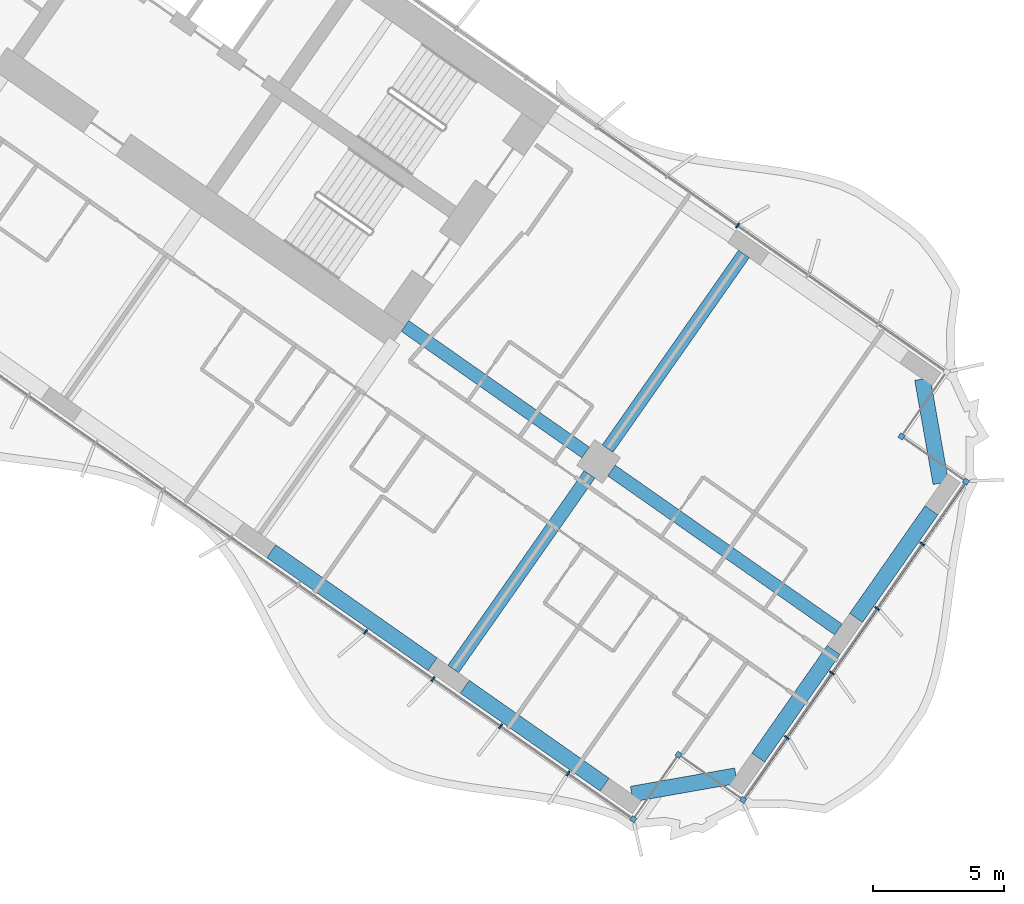
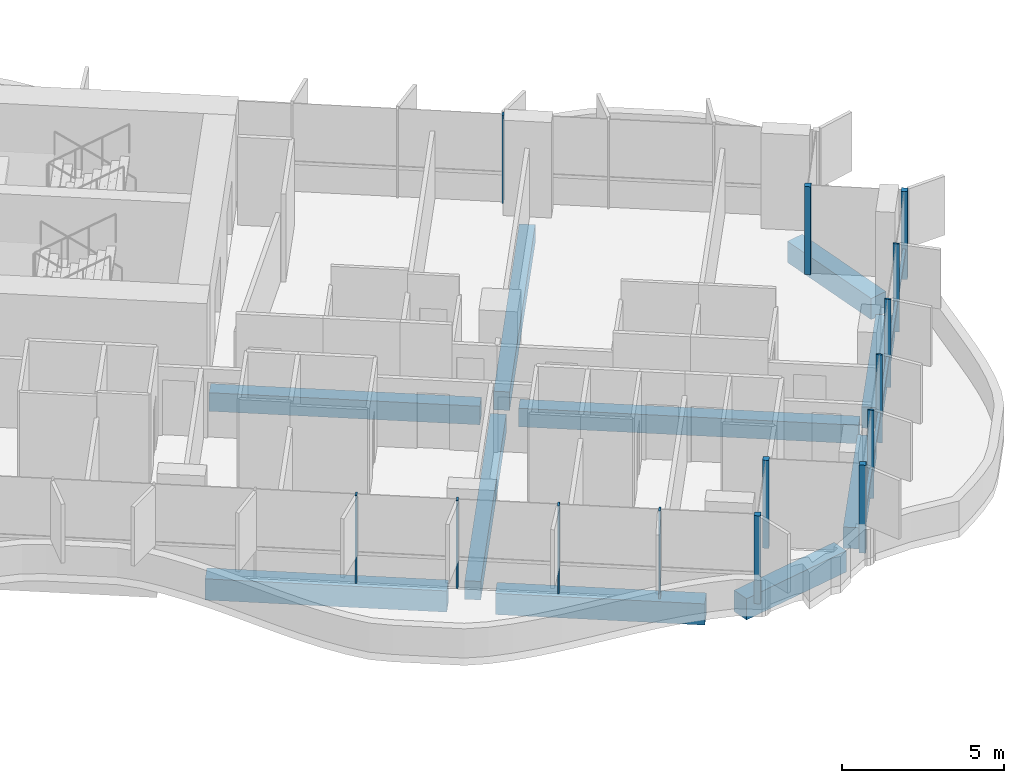
# One storey, part 9 of 25: 15 members, 10 beams, 1 element without a shape of its own.
"""IFC4 building model written with IfcOpenShell, lengths in metres."""

from ifc_helpers import new_model, si_unit, direction, frame, origin, origin_2d, place, context, subcontext, project, spatial, rectangle, extrude, material, material_profile, profile_set, type_object, element, aggregate, save


model = new_model("IFC4")

# Units and contexts
model_context = context("Model", 3, precision=1e-05, world=origin(), true_north=direction((0.0, 1.0)))
body_context = subcontext(model_context, "Body", "Model", "MODEL_VIEW")
ifc_project = project(units=[si_unit("LENGTHUNIT", "METRE"), si_unit("AREAUNIT", "SQUARE_METRE"), si_unit("VOLUMEUNIT", "CUBIC_METRE"), si_unit("PLANEANGLEUNIT", "RADIAN"), si_unit("MASSUNIT", "GRAM", prefix="KILO")], contexts=[model_context])

# Site, building, storey
site_placement = place(None, origin())
site = spatial("IfcSite", under=ifc_project, at=site_placement, CompositionType="ELEMENT")
building_placement = place(site_placement, origin())
building = spatial("IfcBuilding", under=site, at=building_placement, Name="Tel Ilan Convention Tower", CompositionType="ELEMENT")
storey_placement = place(building_placement, frame((0.0, 0.0, 61.699951171875)))
storey = spatial("IfcBuildingStorey", under=building, at=storey_placement, Name="L10", CompositionType="ELEMENT", Elevation=61.699951171875)

# Beams
ifc_material_1 = material(Name="Concrete C40/50", Category="concrete")
ifc_material_profile_1 = material_profile(ifc_material_1, rectangle(XDim=0.5, YDim=0.699951171875, at=origin_2d()), Name="RC 500x700")
ifc_profile_set_1 = profile_set([ifc_material_profile_1], Name="Concrete C40/50")
beam_type_1 = type_object("IfcBeamType", Name="Beam RC 500x700 Concrete C40/50", PredefinedType="BEAM", material=ifc_profile_set_1)
beam_1_placement = place(storey_placement, frame((22.1171875, -15.486572265625, -0.6298828125), z_axis=(0.819147254605, -0.573583276668, 0.0), x_axis=(0.573583276668, 0.819147254605, 0.0)))
element("IfcBeam", 1, at=beam_1_placement, inside=storey, type_object=beam_type_1, Name="L10 beam E-core-E-M4", PredefinedType="BEAM", context=body_context, shape_type="SweptSolid", body=[
    extrude(rectangle(XDim=0.5, YDim=0.699951171875, at=origin_2d()), origin(), (0.0, 0.0, 1.0), 8.400146484375),
])
beam_2_placement = place(storey_placement, frame((29.98095703125, -20.992919921875, -0.6298828125), z_axis=(0.819151461915, -0.573577268067, 0.0), x_axis=(0.573577268067, 0.819151461915, 0.0)))
element("IfcBeam", 2, at=beam_2_placement, inside=storey, type_object=beam_type_1, Name="L10 beam E-E-M4-end", PredefinedType="BEAM", context=body_context, shape_type="SweptSolid", body=[
    extrude(rectangle(XDim=0.5, YDim=0.699951171875, at=origin_2d()), origin(), (0.0, 0.0, 1.0), 10.550048828125),
])
for number, where, z_axis, x_axis, name in (
    (3, (29.145263671875, -21.14013671875, -0.6298828125), (-0.573549245583, -0.819171082798, 0.0), (0.819171082798, -0.573549245583, 0.0), "L10 beam E-E-M4-E-F4"),
    (4, (29.83349609375, -20.1572265625, -0.6298828125), (0.57358002233, 0.819149533348, 0.0), (-0.819149533348, 0.57358002233, 0.0), "L10 beam E-E-M4-E-B4"),
):
    element("IfcBeam", number, at=place(storey_placement, frame(where, z_axis=z_axis, x_axis=x_axis)), inside=storey, type_object=beam_type_1, Name=name, PredefinedType="BEAM", context=body_context, shape_type="SweptSolid", body=[
        extrude(rectangle(XDim=0.5, YDim=0.699951171875, at=origin_2d()), origin(), (0.0, 0.0, 1.0), 9.050048828125),
    ])
ifc_material_2 = material(Name="Concrete C40/50", Category="concrete")
ifc_material_profile_2 = material_profile(ifc_material_2, rectangle(XDim=0.60009765625, YDim=0.800048828125, at=origin_2d()), Name="RC 600x800")
ifc_profile_set_2 = profile_set([ifc_material_profile_2], Name="Concrete C40/50")
beam_type_2 = type_object("IfcBeamType", Name="Beam RC 600x800 Concrete C40/50", PredefinedType="BEAM", material=ifc_profile_set_2)
beam_3_placement = place(storey_placement, frame((17.0244140625, -24.0673828125, -0.679931640625), z_axis=(0.81915238829, -0.573575945067, 0.0), x_axis=(0.573575945067, 0.81915238829, 0.0)))
element("IfcBeam", 5, at=beam_3_placement, inside=storey, type_object=beam_type_2, Name="L10 beam E-E-F3-E-F4", PredefinedType="BEAM", context=body_context, shape_type="SweptSolid", body=[
    extrude(rectangle(XDim=0.60009765625, YDim=0.800048828125, at=origin_2d()), origin(), (0.0, 0.0, 1.0), 7.5),
])
beam_4_placement = place(storey_placement, frame((24.396728515625, -29.2294921875, -0.679931640625), z_axis=(0.819148977158, -0.573580816643, 0.0), x_axis=(0.573580816643, 0.819148977158, 0.0)))
element("IfcBeam", 6, at=beam_4_placement, inside=storey, type_object=beam_type_2, Name="L10 beam E-E-F4-E-FC", PredefinedType="BEAM", context=body_context, shape_type="SweptSolid", body=[
    extrude(rectangle(XDim=0.60009765625, YDim=0.800048828125, at=origin_2d()), origin(), (0.0, 0.0, 1.0), 6.5),
])
beam_5_placement = place(storey_placement, frame((30.75341796875, -33.314208984375, -0.679931640625), z_axis=(0.984815252405, 0.173605641124, 0.0), x_axis=(-0.173605641124, 0.984815252405, 0.0)))
element("IfcBeam", 7, at=beam_5_placement, inside=storey, type_object=beam_type_2, Name="L10 beam E-E-FC-E-E1", PredefinedType="BEAM", context=body_context, shape_type="SweptSolid", body=[
    extrude(rectangle(XDim=0.60009765625, YDim=0.800048828125, at=origin_2d()), origin(), (0.0, 0.0, 1.0), 4.030517578125),
])
for number, where, z_axis, x_axis, name in (
    (8, (35.57080078125, -31.92626953125, -0.679931640625), (0.573586866468, 0.819144740944, 0.0), (-0.819144740944, 0.573586866468, 0.0), "L10 beam E-E-E1-E-E2"),
    (9, (39.298828125, -26.601806640625, -0.679931640625), (0.573586866468, 0.819144740944, 0.0), (-0.819144740944, 0.573586866468, 0.0), "L10 beam E-E-E2-E-E3"),
):
    element("IfcBeam", number, at=place(storey_placement, frame(where, z_axis=z_axis, x_axis=x_axis)), inside=storey, type_object=beam_type_2, Name=name, PredefinedType="BEAM", context=body_context, shape_type="SweptSolid", body=[
        extrude(rectangle(XDim=0.60009765625, YDim=0.800048828125, at=origin_2d()), origin(), (0.0, 0.0, 1.0), 5.0),
    ])
beam_6_placement = place(storey_placement, frame((42.523193359375, -21.473876953125, -0.679931640625), z_axis=(-0.173605641124, 0.984815252405, 0.0), x_axis=(-0.984815252405, -0.173605641124, 0.0)))
element("IfcBeam", 10, at=beam_6_placement, inside=storey, type_object=beam_type_2, Name="L10 beam E-E-E3-E-BC", PredefinedType="BEAM", context=body_context, shape_type="SweptSolid", body=[
    extrude(rectangle(XDim=0.60009765625, YDim=0.800048828125, at=origin_2d()), origin(), (0.0, 0.0, 1.0), 4.030517578125),
])

# Curtain wall, members
ifc_material_3 = material(Name="Aluminium, bronze anodised", Category="aluminium")
curtain_wall_type = type_object("IfcCurtainWallType", Name="CW1 UNITISED CURTAIN WALL, HOTEL TINTED GLASS", PredefinedType="NOTDEFINED", material=ifc_material_3)
curtain_wall_placement = place(storey_placement, origin())
curtain_wall = element("IfcCurtainWall", 11, at=curtain_wall_placement, inside=storey, type_object=curtain_wall_type, Name="Curtain wall CW1-11.02", PredefinedType="NOTDEFINED")
ifc_material_4 = material(Name="Aluminium, bronze anodised", Category="aluminium")
ifc_material_profile_3 = material_profile(ifc_material_4, rectangle(XDim=0.199951171875, YDim=0.199951171875, at=origin_2d()), Name="CW CORNER MULLION 200x200")
ifc_profile_set_3 = profile_set([ifc_material_profile_3], Name="Aluminium, bronze anodised")
member_type_1 = type_object("IfcMemberType", Name="CW CORNER MULLION 200x200", PredefinedType="MULLION", material=ifc_profile_set_3)
member_1_placement = place(storey_placement, frame((30.814697265625, -34.272705078125, 0.0), z_axis=(0.0, 0.0, 1.0), x_axis=(0.819152044289, -0.573576436351, 0.0)))
member_1 = element("IfcMember", 12, at=member_1_placement, type_object=member_type_1, Name="Corner mullion", PredefinedType="MULLION", context=body_context, shape_type="SweptSolid", body=[
    extrude(rectangle(XDim=0.199951171875, YDim=0.199951171875, at=origin_2d()), origin(), (0.0, 0.0, 1.0), 3.320068359375),
])
member_2_placement = place(storey_placement, frame((32.535400390625, -31.815185546875, 0.0), z_axis=(0.0, 0.0, 1.0), x_axis=(0.573576436351, 0.819152044289, 0.0)))
member_2 = element("IfcMember", 13, at=member_2_placement, type_object=member_type_1, Name="Corner mullion", PredefinedType="MULLION", context=body_context, shape_type="SweptSolid", body=[
    extrude(rectangle(XDim=0.199951171875, YDim=0.199951171875, at=origin_2d()), origin(), (0.0, 0.0, 1.0), 3.320068359375),
])
member_3_placement = place(storey_placement, frame((34.992919921875, -33.5361328125, 0.0), z_axis=(0.0, 0.0, 1.0), x_axis=(0.819152044289, -0.573576436351, 0.0)))
member_3 = element("IfcMember", 14, at=member_3_placement, type_object=member_type_1, Name="Corner mullion", PredefinedType="MULLION", context=body_context, shape_type="SweptSolid", body=[
    extrude(rectangle(XDim=0.199951171875, YDim=0.199951171875, at=origin_2d()), origin(), (0.0, 0.0, 1.0), 3.320068359375),
])
member_4_placement = place(storey_placement, frame((43.48193359375, -21.41259765625, 0.0), z_axis=(0.0, 0.0, 1.0), x_axis=(0.573576436351, 0.819152044289, 0.0)))
member_4 = element("IfcMember", 15, at=member_4_placement, type_object=member_type_1, Name="Corner mullion", PredefinedType="MULLION", context=body_context, shape_type="SweptSolid", body=[
    extrude(rectangle(XDim=0.199951171875, YDim=0.199951171875, at=origin_2d()), origin(), (0.0, 0.0, 1.0), 3.320068359375),
])
member_5_placement = place(storey_placement, frame((41.0244140625, -19.69189453125, 0.0), z_axis=(0.0, 0.0, 1.0), x_axis=(-0.819152044289, 0.573576436351, 0.0)))
member_5 = element("IfcMember", 16, at=member_5_placement, type_object=member_type_1, Name="Corner mullion", PredefinedType="MULLION", context=body_context, shape_type="SweptSolid", body=[
    extrude(rectangle(XDim=0.199951171875, YDim=0.199951171875, at=origin_2d()), origin(), (0.0, 0.0, 1.0), 3.320068359375),
])
ifc_material_5 = material(Name="Aluminium, bronze anodised", Category="aluminium")
ifc_material_profile_4 = material_profile(ifc_material_5, rectangle(XDim=0.06005859375, YDim=0.199951171875, at=origin_2d()), Name="CW MULLION 60x200")
ifc_profile_set_4 = profile_set([ifc_material_profile_4], Name="Aluminium, bronze anodised")
member_type_2 = type_object("IfcMemberType", Name="CW MULLION 60x200", PredefinedType="MULLION", material=ifc_profile_set_4)
member_6_placement = place(storey_placement, frame((20.616943359375, -27.132080078125, 0.0), z_axis=(0.0, 0.0, 1.0), x_axis=(0.819152044289, -0.573576436351, 0.0)))
member_6 = element("IfcMember", 17, at=member_6_placement, type_object=member_type_2, Name="Mullion", PredefinedType="MULLION", context=body_context, shape_type="SweptSolid", body=[
    extrude(rectangle(XDim=0.06005859375, YDim=0.199951171875, at=origin_2d()), origin(), (0.0, 0.0, 1.0), 3.320068359375),
])
member_7_placement = place(storey_placement, frame((23.186767578125, -28.931640625, 0.0), z_axis=(0.0, 0.0, 1.0), x_axis=(0.819152044289, -0.573576436351, 0.0)))
member_7 = element("IfcMember", 18, at=member_7_placement, type_object=member_type_2, Name="Mullion", PredefinedType="MULLION", context=body_context, shape_type="SweptSolid", body=[
    extrude(rectangle(XDim=0.06005859375, YDim=0.199951171875, at=origin_2d()), origin(), (0.0, 0.0, 1.0), 3.320068359375),
])
member_8_placement = place(storey_placement, frame((25.7568359375, -30.731201171875, 0.0), z_axis=(0.0, 0.0, 1.0), x_axis=(0.819152044289, -0.573576436351, 0.0)))
member_8 = element("IfcMember", 19, at=member_8_placement, type_object=member_type_2, Name="Mullion", PredefinedType="MULLION", context=body_context, shape_type="SweptSolid", body=[
    extrude(rectangle(XDim=0.06005859375, YDim=0.199951171875, at=origin_2d()), origin(), (0.0, 0.0, 1.0), 3.320068359375),
])
member_9_placement = place(storey_placement, frame((28.32666015625, -32.530517578125, 0.0), z_axis=(0.0, 0.0, 1.0), x_axis=(0.819152044289, -0.573576436351, 0.0)))
member_9 = element("IfcMember", 20, at=member_9_placement, type_object=member_type_2, Name="Mullion", PredefinedType="MULLION", context=body_context, shape_type="SweptSolid", body=[
    extrude(rectangle(XDim=0.06005859375, YDim=0.199951171875, at=origin_2d()), origin(), (0.0, 0.0, 1.0), 3.320068359375),
])
member_10_placement = place(storey_placement, frame((36.65625, -31.160400390625, 0.0), z_axis=(0.0, 0.0, 1.0), x_axis=(0.573576436351, 0.819152044289, 0.0)))
member_10 = element("IfcMember", 21, at=member_10_placement, type_object=member_type_2, Name="Mullion", PredefinedType="MULLION", context=body_context, shape_type="SweptSolid", body=[
    extrude(rectangle(XDim=0.06005859375, YDim=0.199951171875, at=origin_2d()), origin(), (0.0, 0.0, 1.0), 3.320068359375),
])
member_11_placement = place(storey_placement, frame((38.376953125, -28.703125, 0.0), z_axis=(0.0, 0.0, 1.0), x_axis=(0.573576436351, 0.819152044289, 0.0)))
member_11 = element("IfcMember", 22, at=member_11_placement, type_object=member_type_2, Name="Mullion", PredefinedType="MULLION", context=body_context, shape_type="SweptSolid", body=[
    extrude(rectangle(XDim=0.06005859375, YDim=0.199951171875, at=origin_2d()), origin(), (0.0, 0.0, 1.0), 3.320068359375),
])
member_12_placement = place(storey_placement, frame((40.09765625, -26.24560546875, 0.0), z_axis=(0.0, 0.0, 1.0), x_axis=(0.573576436351, 0.819152044289, 0.0)))
member_12 = element("IfcMember", 23, at=member_12_placement, type_object=member_type_2, Name="Mullion", PredefinedType="MULLION", context=body_context, shape_type="SweptSolid", body=[
    extrude(rectangle(XDim=0.06005859375, YDim=0.199951171875, at=origin_2d()), origin(), (0.0, 0.0, 1.0), 3.320068359375),
])
member_13_placement = place(storey_placement, frame((41.818359375, -23.7880859375, 0.0), z_axis=(0.0, 0.0, 1.0), x_axis=(0.573576436351, 0.819152044289, 0.0)))
member_13 = element("IfcMember", 24, at=member_13_placement, type_object=member_type_2, Name="Mullion", PredefinedType="MULLION", context=body_context, shape_type="SweptSolid", body=[
    extrude(rectangle(XDim=0.06005859375, YDim=0.199951171875, at=origin_2d()), origin(), (0.0, 0.0, 1.0), 3.320068359375),
])
member_14_placement = place(storey_placement, frame((34.7861328125, -11.66162109375, 0.0), z_axis=(0.0, 0.0, 1.0), x_axis=(-0.819152044289, 0.573576436351, 0.0)))
member_14 = element("IfcMember", 25, at=member_14_placement, type_object=member_type_2, Name="Mullion", PredefinedType="MULLION", context=body_context, shape_type="SweptSolid", body=[
    extrude(rectangle(XDim=0.06005859375, YDim=0.199951171875, at=origin_2d()), origin(), (0.0, 0.0, 1.0), 3.320068359375),
])
ifc_material_6 = material(Name="Aluminium, bronze anodised", Category="aluminium")
ifc_material_profile_5 = material_profile(ifc_material_6, rectangle(XDim=0.10009765625, YDim=0.1201171875, at=origin_2d()), Name="CW TRANSOM 100x120")
ifc_profile_set_5 = profile_set([ifc_material_profile_5], Name="Aluminium, bronze anodised")
member_type_3 = type_object("IfcMemberType", Name="CW TRANSOM 100x120", PredefinedType="USERDEFINED", material=ifc_profile_set_5)
member_15_placement = place(storey_placement, frame((35.05029296875, -33.4541015625, 1.10009765625), z_axis=(0.573575688231, 0.819152568128, 0.0), x_axis=(-0.819152568128, 0.573575688231, 0.0)))
member_15 = element("IfcMember", 26, at=member_15_placement, type_object=member_type_3, Name="Transom", ObjectType="TRANSOM", PredefinedType="USERDEFINED", context=body_context, shape_type="SweptSolid", body=[
    extrude(rectangle(XDim=0.10009765625, YDim=0.1201171875, at=origin_2d()), origin(), (0.0, 0.0, 1.0), 14.60009765625),
])
aggregate(curtain_wall, [member_6, member_7, member_8, member_9, member_1, member_2, member_3, member_10, member_11, member_12, member_13, member_4, member_15, member_5, member_14])

save(model, "model.ifc")
